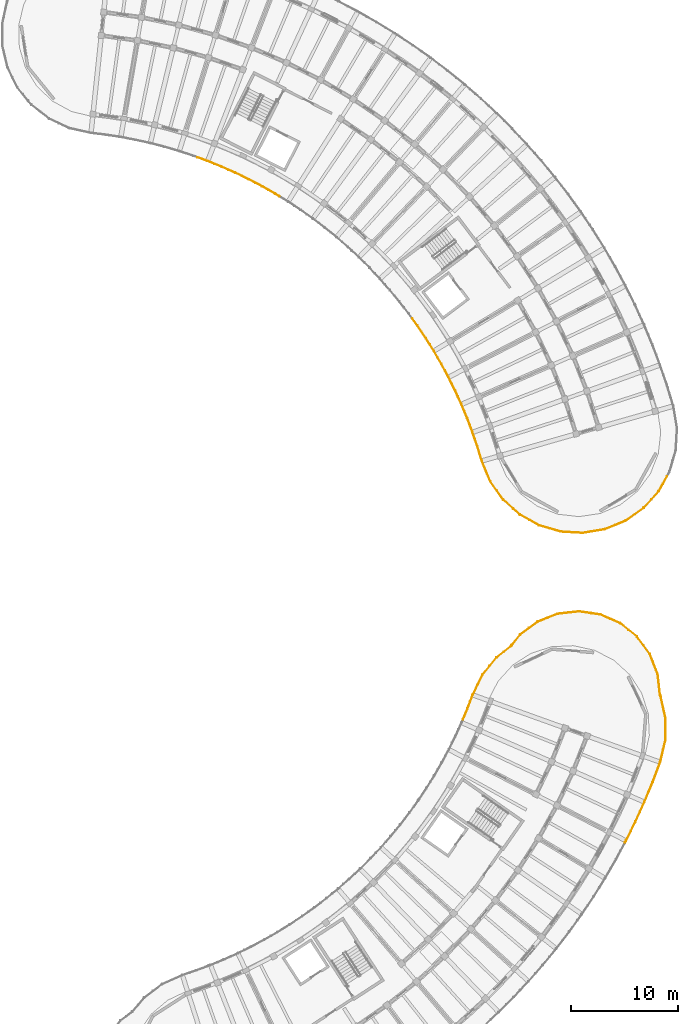
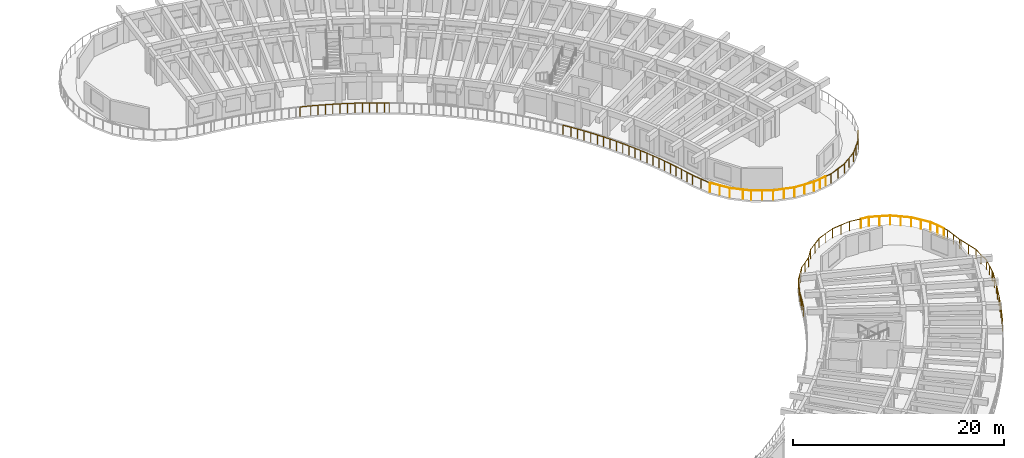
# One storey, part 77 of 81: 11 railings.
"""IFC4 building model written with IfcOpenShell, lengths in metres."""

from ifc_helpers import new_model, si_unit, direction, frame, origin, origin_2d, place, context, subcontext, project, spatial, circle, extrude, material, type_object, element, save


model = new_model("IFC4")

# Units and contexts
model_context = context("Model", 3, precision=1e-05, world=origin(), true_north=direction((0.0, 1.0)))
body_context = subcontext(model_context, "Body", "Model", "MODEL_VIEW")
ifc_project = project(units=[si_unit("LENGTHUNIT", "METRE"), si_unit("AREAUNIT", "SQUARE_METRE"), si_unit("VOLUMEUNIT", "CUBIC_METRE"), si_unit("PLANEANGLEUNIT", "RADIAN"), si_unit("MASSUNIT", "GRAM", prefix="KILO")], contexts=[model_context])

# Site, building, storey
site_placement = place(None, origin())
site = spatial("IfcSite", under=ifc_project, at=site_placement, CompositionType="ELEMENT")
building_placement = place(site_placement, origin())
building = spatial("IfcBuilding", under=site, at=building_placement, Name="Tanwirah Colonnade Gardens", CompositionType="ELEMENT")
storey_placement = place(building_placement, frame((0.0, 0.0, 18.919921875)))
storey = spatial("IfcBuildingStorey", under=building, at=storey_placement, Name="L05", CompositionType="ELEMENT", Elevation=18.919921875)

# Railings
ifc_material = material(Name="Precast concrete C40/50", Category="concrete")
railing_type_1 = type_object("IfcRailingType", Name="BAL-EXT110", PredefinedType="BALUSTRADE", material=ifc_material)
railing_1_placement = place(storey_placement, frame((160.255615234375, 47.759521484375, 0.0)))
element("IfcRailing", 1, at=railing_1_placement, inside=storey, type_object=railing_type_1, Name="Block D L05 Balcony Ribbon Balustrade 6", PredefinedType="BALUSTRADE", context=body_context, shape_type="SweptSolid", body=[
    extrude(circle(Radius=0.02392578125, at=origin_2d()), frame((0.011962890625, 0.02880859375, 1.076171875), z_axis=(0.38374390813, 0.923439555668, 0.0), x_axis=(-0.923439555668, 0.38374390813, 0.0)), (0.0, 0.0, 1.0), 1.03173828125),
    extrude(circle(Radius=0.02392578125, at=origin_2d()), frame((0.431884765625, 1.042236328125, 1.076171875), z_axis=(0.353181976467, 0.93555464378, 0.0), x_axis=(-0.93555464378, 0.353181976467, 0.0)), (0.0, 0.0, 1.0), 1.32763671875),
    extrude(circle(Radius=0.02392578125, at=origin_2d()), frame((0.925537109375, 2.341552734375, 1.076171875), z_axis=(0.441228765944, 0.897394660171, 0.0), x_axis=(-0.897394660171, 0.441228765944, 0.0)), (0.0, 0.0, 1.0), 2.029541015625),
    extrude(circle(Radius=0.02392578125, at=origin_2d()), frame((1.854736328125, 4.215087890625, 1.076171875), z_axis=(0.629803866287, 0.776754201798, 0.0), x_axis=(-0.776754201798, 0.629803866287, 0.0)), (0.0, 0.0, 1.0), 2.024169921875),
    extrude(circle(Radius=0.02392578125, at=origin_2d()), frame((3.173828125, 5.8310546875, 1.076171875), z_axis=(0.786881919945, 0.617103592652, 0.0), x_axis=(-0.617103592652, 0.786881919945, 0.0)), (0.0, 0.0, 1.0), 1.650146484375),
    extrude(circle(Radius=0.02392578125, at=origin_2d()), frame((4.529541015625, 6.90625, 1.076171875), z_axis=(0.621796525931, 0.783178830371, 0.0), x_axis=(-0.783178830371, 0.621796525931, 0.0)), (0.0, 0.0, 1.0), 0.040283203125),
    extrude(circle(Radius=0.02099609375, at=origin_2d()), origin(), (0.0, 0.0, 1.0), 1.049072265625),
    extrude(circle(Radius=0.02099609375, at=origin_2d()), frame((0.419921875, 1.010498046875, 0.0)), (0.0, 0.0, 1.0), 1.049072265625),
    extrude(circle(Radius=0.02099609375, at=origin_2d()), frame((0.66650390625, 1.6630859375, 0.0)), (0.0, 0.0, 1.0), 1.049072265625),
    extrude(circle(Radius=0.02099609375, at=origin_2d()), frame((0.911865234375, 2.3134765625, 0.0)), (0.0, 0.0, 1.0), 1.049072265625),
    extrude(circle(Radius=0.02099609375, at=origin_2d()), frame((1.37353515625, 3.252197265625, 0.0)), (0.0, 0.0, 1.0), 1.049072265625),
    extrude(circle(Radius=0.02099609375, at=origin_2d()), frame((1.8349609375, 4.19091796875, 0.0)), (0.0, 0.0, 1.0), 1.049072265625),
    extrude(circle(Radius=0.02099609375, at=origin_2d()), frame((2.4921875, 5.00146484375, 0.0)), (0.0, 0.0, 1.0), 1.049072265625),
    extrude(circle(Radius=0.02099609375, at=origin_2d()), frame((3.149169921875, 5.811767578125, 0.0)), (0.0, 0.0, 1.0), 1.049072265625),
    extrude(circle(Radius=0.02099609375, at=origin_2d()), frame((3.822998046875, 6.34033203125, 0.0)), (0.0, 0.0, 1.0), 1.049072265625),
    extrude(circle(Radius=0.02099609375, at=origin_2d()), frame((4.496826171875, 6.86865234375, 0.0)), (0.0, 0.0, 1.0), 1.049072265625),
    extrude(circle(Radius=0.02099609375, at=origin_2d()), frame((4.573974609375, 6.96240234375, 0.0)), (0.0, 0.0, 1.0), 1.049072265625),
])
railing_2_placement = place(storey_placement, frame((164.82958984375, 54.721923828125, 0.0)))
element("IfcRailing", 2, at=railing_2_placement, inside=storey, type_object=railing_type_1, Name="Block D L05 Balcony Ribbon Balustrade 7", PredefinedType="BALUSTRADE", context=body_context, shape_type="SweptSolid", body=[
    extrude(circle(Radius=0.02392578125, at=origin_2d()), frame((0.01953125, 0.0244140625, 1.076171875), z_axis=(0.622520900401, 0.782603174389, 0.0), x_axis=(-0.782603174389, 0.622520900401, 0.0)), (0.0, 0.0, 1.0), 1.21240234375),
    extrude(circle(Radius=0.02392578125, at=origin_2d()), frame((0.81884765625, 1.016357421875, 1.076171875), z_axis=(0.803894036399, 0.594772543283, 0.0), x_axis=(-0.594772543283, 0.803894036399, 0.0)), (0.0, 0.0, 1.0), 1.952392578125),
    extrude(circle(Radius=0.02392578125, at=origin_2d()), frame((2.442626953125, 2.207763671875, 1.076171875), z_axis=(0.930385857121, 0.366581719225, 0.0), x_axis=(-0.366581719225, 0.930385857121, 0.0)), (0.0, 0.0, 1.0), 1.952880859375),
    extrude(circle(Radius=0.02392578125, at=origin_2d()), frame((4.319580078125, 2.9384765625, 1.076171875), z_axis=(0.993577113496, 0.113157056945, 0.0), x_axis=(-0.113157056945, 0.993577113496, 0.0)), (0.0, 0.0, 1.0), 1.95263671875),
    extrude(circle(Radius=0.02392578125, at=origin_2d()), frame((6.32177734375, 3.158447265625, 1.076171875), z_axis=(0.989018189734, -0.147793844175, 0.0), x_axis=(0.147793844175, 0.989018189734, 0.0)), (0.0, 0.0, 1.0), 1.116943359375),
    extrude(circle(Radius=0.02099609375, at=origin_2d()), origin(), (0.0, 0.0, 1.0), 1.049072265625),
    extrude(circle(Radius=0.02099609375, at=origin_2d()), frame((0.793701171875, 0.997802734375, 0.0)), (0.0, 0.0, 1.0), 1.049072265625),
    extrude(circle(Radius=0.02099609375, at=origin_2d()), frame((1.603515625, 1.59716796875, 0.0)), (0.0, 0.0, 1.0), 1.049072265625),
    extrude(circle(Radius=0.02099609375, at=origin_2d()), frame((2.41357421875, 2.1962890625, 0.0)), (0.0, 0.0, 1.0), 1.049072265625),
    extrude(circle(Radius=0.02099609375, at=origin_2d()), frame((3.35107421875, 2.565673828125, 0.0)), (0.0, 0.0, 1.0), 1.049072265625),
    extrude(circle(Radius=0.02099609375, at=origin_2d()), frame((4.28857421875, 2.93505859375, 0.0)), (0.0, 0.0, 1.0), 1.049072265625),
    extrude(circle(Radius=0.02099609375, at=origin_2d()), frame((5.28955078125, 3.049072265625, 0.0)), (0.0, 0.0, 1.0), 1.049072265625),
    extrude(circle(Radius=0.02099609375, at=origin_2d()), frame((6.290771484375, 3.1630859375, 0.0)), (0.0, 0.0, 1.0), 1.049072265625),
    extrude(circle(Radius=0.02099609375, at=origin_2d()), frame((7.457275390625, 2.98876953125, 0.0)), (0.0, 0.0, 1.0), 1.049072265625),
])
railing_3_placement = place(storey_placement, frame((172.286865234375, 57.710693359375, 0.0)))
element("IfcRailing", 3, at=railing_3_placement, inside=storey, type_object=railing_type_1, Name="Block D L05 Balcony Ribbon Balustrade 8", PredefinedType="BALUSTRADE", context=body_context, shape_type="SweptSolid", body=[
    extrude(circle(Radius=0.02392578125, at=origin_2d()), frame((0.031005859375, -0.004638671875, 1.076171875), z_axis=(0.989011234608, -0.147840379531, 0.0), x_axis=(0.147840379531, 0.989011234608, 0.0)), (0.0, 0.0, 1.0), 0.773193359375),
    extrude(circle(Radius=0.02392578125, at=origin_2d()), frame((0.85498046875, -0.135986328125, 1.076171875), z_axis=(0.917083537918, -0.398695102152, 0.0), x_axis=(0.398695102152, 0.917083537918, 0.0)), (0.0, 0.0, 1.0), 1.95263671875),
    extrude(circle(Radius=0.02392578125, at=origin_2d()), frame((2.698974609375, -0.946533203125, 1.076171875), z_axis=(0.782532634518, -0.622609569405, 0.0), x_axis=(0.622609569405, 0.782532634518, 0.0)), (0.0, 0.0, 1.0), 1.95263671875),
    extrude(circle(Radius=0.02392578125, at=origin_2d()), frame((4.27001953125, -2.206787109375, 1.076171875), z_axis=(0.594850833689, -0.803836106218, 0.0), x_axis=(0.803836106218, 0.594850833689, 0.0)), (0.0, 0.0, 1.0), 1.95263671875),
    extrude(circle(Radius=0.02392578125, at=origin_2d()), frame((5.461669921875, -3.83056640625, 1.076171875), z_axis=(0.366445400698, -0.930439556504, 0.0), x_axis=(0.930439556504, 0.366445400698, 0.0)), (0.0, 0.0, 1.0), 1.556396484375),
    extrude(circle(Radius=0.02099609375, at=origin_2d()), origin(), (0.0, 0.0, 1.0), 1.049072265625),
    extrude(circle(Radius=0.02099609375, at=origin_2d()), frame((0.826416015625, -0.12353515625, 0.0)), (0.0, 0.0, 1.0), 1.049072265625),
    extrude(circle(Radius=0.02099609375, at=origin_2d()), frame((1.75048828125, -0.525390625, 0.0)), (0.0, 0.0, 1.0), 1.049072265625),
    extrude(circle(Radius=0.02099609375, at=origin_2d()), frame((2.674560546875, -0.927001953125, 0.0)), (0.0, 0.0, 1.0), 1.049072265625),
    extrude(circle(Radius=0.02099609375, at=origin_2d()), frame((3.462890625, -1.55419921875, 0.0)), (0.0, 0.0, 1.0), 1.049072265625),
    extrude(circle(Radius=0.02099609375, at=origin_2d()), frame((4.25146484375, -2.181640625, 0.0)), (0.0, 0.0, 1.0), 1.049072265625),
    extrude(circle(Radius=0.02099609375, at=origin_2d()), frame((4.850830078125, -2.99169921875, 0.0)), (0.0, 0.0, 1.0), 1.049072265625),
    extrude(circle(Radius=0.02099609375, at=origin_2d()), frame((5.4501953125, -3.801513671875, 0.0)), (0.0, 0.0, 1.0), 1.049072265625),
    extrude(circle(Radius=0.02099609375, at=origin_2d()), frame((5.746826171875, -4.5546875, 0.0)), (0.0, 0.0, 1.0), 1.049072265625),
    extrude(circle(Radius=0.02099609375, at=origin_2d()), frame((6.04345703125, -5.307861328125, 0.0)), (0.0, 0.0, 1.0), 1.049072265625),
])
railing_4_placement = place(storey_placement, frame((178.330322265625, 52.40283203125, 0.0)))
element("IfcRailing", 4, at=railing_4_placement, inside=storey, type_object=railing_type_1, Name="Block D L05 Balcony Ribbon Balustrade 9", PredefinedType="BALUSTRADE", context=body_context, shape_type="SweptSolid", body=[
    extrude(circle(Radius=0.02392578125, at=origin_2d()), frame((0.011474609375, -0.029052734375, 1.076171875), z_axis=(0.366815596707, -0.930293672994, 0.0), x_axis=(0.930293672994, 0.366815596707, 0.0)), (0.0, 0.0, 1.0), 0.33349609375),
    extrude(circle(Radius=0.02392578125, at=origin_2d()), frame((0.14892578125, -0.3994140625, 1.076171875), z_axis=(0.113238424528, -0.993567843285, 0.0), x_axis=(0.993567843285, 0.113238424528, 0.0)), (0.0, 0.0, 1.0), 1.90380859375),
    extrude(circle(Radius=0.02392578125, at=origin_2d()), frame((0.388427734375, -2.375244140625, 1.076171875), z_axis=(0.425885060261, -0.904777273945, 0.0), x_axis=(0.904777273945, 0.425885060261, 0.0)), (0.0, 0.0, 1.0), 0.071044921875),
    extrude(circle(Radius=0.02392578125, at=origin_2d()), frame((0.4384765625, -2.498291015625, 1.076171875), z_axis=(0.214663162135, -0.976688142051, 0.0), x_axis=(0.976688142051, 0.214663162135, 0.0)), (0.0, 0.0, 1.0), 2.0244140625),
    extrude(circle(Radius=0.02392578125, at=origin_2d()), frame((0.879638671875, -4.537353515625, 1.076171875), z_axis=(-0.008071800673, -0.999967422486, 0.0), x_axis=(0.999967422486, -0.008071800673, 0.0)), (0.0, 0.0, 1.0), 2.0244140625),
    extrude(circle(Radius=0.02392578125, at=origin_2d()), frame((0.855712890625, -6.62353515625, 1.076171875), z_axis=(-0.230449524336, -0.973084280386, 0.0), x_axis=(0.973084280386, -0.230449524336, 0.0)), (0.0, 0.0, 1.0), 1.74169921875),
    extrude(circle(Radius=0.02099609375, at=origin_2d()), origin(), (0.0, 0.0, 1.0), 1.049072265625),
    extrude(circle(Radius=0.02099609375, at=origin_2d()), frame((0.145263671875, -0.368408203125, 0.0)), (0.0, 0.0, 1.0), 1.049072265625),
    extrude(circle(Radius=0.02099609375, at=origin_2d()), frame((0.256591796875, -1.34521484375, 0.0)), (0.0, 0.0, 1.0), 1.049072265625),
    extrude(circle(Radius=0.02099609375, at=origin_2d()), frame((0.367919921875, -2.322021484375, 0.0)), (0.0, 0.0, 1.0), 1.049072265625),
    extrude(circle(Radius=0.02099609375, at=origin_2d()), frame((0.431884765625, -2.4677734375, 0.0)), (0.0, 0.0, 1.0), 1.049072265625),
    extrude(circle(Radius=0.02099609375, at=origin_2d()), frame((0.65576171875, -3.48681640625, 0.0)), (0.0, 0.0, 1.0), 1.049072265625),
    extrude(circle(Radius=0.02099609375, at=origin_2d()), frame((0.8798828125, -4.506103515625, 0.0)), (0.0, 0.0, 1.0), 1.049072265625),
    extrude(circle(Radius=0.02099609375, at=origin_2d()), frame((0.87158203125, -5.549560546875, 0.0)), (0.0, 0.0, 1.0), 1.049072265625),
    extrude(circle(Radius=0.02099609375, at=origin_2d()), frame((0.863037109375, -6.593017578125, 0.0)), (0.0, 0.0, 1.0), 1.049072265625),
    extrude(circle(Radius=0.02099609375, at=origin_2d()), frame((0.6552734375, -7.470703125, 0.0)), (0.0, 0.0, 1.0), 1.049072265625),
    extrude(circle(Radius=0.02099609375, at=origin_2d()), frame((0.447265625, -8.3486328125, 0.0)), (0.0, 0.0, 1.0), 1.049072265625),
])
railing_5_placement = place(storey_placement, frame((178.777587890625, 44.05419921875, 0.0)))
element("IfcRailing", 5, at=railing_5_placement, inside=storey, type_object=railing_type_1, Name="Block D L05 Balcony Ribbon Balustrade 10", PredefinedType="BALUSTRADE", context=body_context, shape_type="SweptSolid", body=[
    extrude(circle(Radius=0.02392578125, at=origin_2d()), frame((-0.007080078125, -0.030517578125, 1.076171875), z_axis=(-0.230084149808, -0.973170737336, 0.0), x_axis=(0.973170737336, -0.230084149808, 0.0)), (0.0, 0.0, 1.0), 0.223876953125),
    extrude(circle(Radius=0.02392578125, at=origin_2d()), frame((-0.076904296875, -0.30810546875, 1.076171875), z_axis=(-0.353246485445, -0.935530288404, 0.0), x_axis=(0.935530288404, -0.353246485445, 0.0)), (0.0, 0.0, 1.0), 1.9404296875),
    extrude(circle(Radius=0.02392578125, at=origin_2d()), frame((-0.785400390625, -2.181396484375, 1.076171875), z_axis=(-0.383777149523, -0.923425741196, 0.0), x_axis=(0.923425741196, -0.383777149523, 0.0)), (0.0, 0.0, 1.0), 1.94384765625),
    extrude(circle(Radius=0.02392578125, at=origin_2d()), frame((-1.556396484375, -4.033935546875, 1.076171875), z_axis=(-0.413665439989, -0.910428966893, 0.0), x_axis=(0.910428966893, -0.413665439989, 0.0)), (0.0, 0.0, 1.0), 1.944091796875),
    extrude(circle(Radius=0.02392578125, at=origin_2d()), frame((-2.387451171875, -5.8603515625, 1.076171875), z_axis=(-0.443316350815, -0.896365223054, 0.0), x_axis=(0.896365223054, -0.443316350815, 0.0)), (0.0, 0.0, 1.0), 1.9443359375),
    extrude(circle(Radius=0.02392578125, at=origin_2d()), frame((-3.27783203125, -7.65869140625, 1.076171875), z_axis=(-0.472114894391, -0.881537025028, 0.0), x_axis=(0.881537025028, -0.472114894391, 0.0)), (0.0, 0.0, 1.0), 0.128173828125),
    extrude(circle(Radius=0.02099609375, at=origin_2d()), origin(), (0.0, 0.0, 1.0), 1.049072265625),
    extrude(circle(Radius=0.02099609375, at=origin_2d()), frame((-0.06591796875, -0.27880859375, 0.0)), (0.0, 0.0, 1.0), 1.049072265625),
    extrude(circle(Radius=0.02099609375, at=origin_2d()), frame((-0.419677734375, -1.2158203125, 0.0)), (0.0, 0.0, 1.0), 1.049072265625),
    extrude(circle(Radius=0.02099609375, at=origin_2d()), frame((-0.7734375, -2.152587890625, 0.0)), (0.0, 0.0, 1.0), 1.049072265625),
    extrude(circle(Radius=0.02099609375, at=origin_2d()), frame((-1.158447265625, -3.0791015625, 0.0)), (0.0, 0.0, 1.0), 1.049072265625),
    extrude(circle(Radius=0.02099609375, at=origin_2d()), frame((-1.54345703125, -4.00537109375, 0.0)), (0.0, 0.0, 1.0), 1.049072265625),
    extrude(circle(Radius=0.02099609375, at=origin_2d()), frame((-1.95849609375, -4.9189453125, 0.0)), (0.0, 0.0, 1.0), 1.049072265625),
    extrude(circle(Radius=0.02099609375, at=origin_2d()), frame((-2.37353515625, -5.832275390625, 0.0)), (0.0, 0.0, 1.0), 1.049072265625),
    extrude(circle(Radius=0.02099609375, at=origin_2d()), frame((-2.818359375, -6.731689453125, 0.0)), (0.0, 0.0, 1.0), 1.049072265625),
    extrude(circle(Radius=0.02099609375, at=origin_2d()), frame((-3.26318359375, -7.631103515625, 0.0)), (0.0, 0.0, 1.0), 1.049072265625),
    extrude(circle(Radius=0.02099609375, at=origin_2d()), frame((-3.353271484375, -7.79931640625, 0.0)), (0.0, 0.0, 1.0), 1.049072265625),
])
railing_type_2 = type_object("IfcRailingType", Name="BAL-EXT112", PredefinedType="BALUSTRADE", material=ifc_material)
railing_6_placement = place(storey_placement, frame((162.8232421875, 70.035400390625, 0.0)))
element("IfcRailing", 6, at=railing_6_placement, inside=storey, type_object=railing_type_2, Name="Block B L05 Balcony Ribbon Balustrade 1", PredefinedType="BALUSTRADE", context=body_context, shape_type="SweptSolid", body=[
    extrude(circle(Radius=0.02392578125, at=origin_2d()), frame((-0.011962890625, 0.02880859375, 1.09619140625), z_axis=(-0.381489237895, 0.92437328032, 0.0), x_axis=(-0.92437328032, -0.381489237895, 0.0)), (0.0, 0.0, 1.0), 2.029541015625),
    extrude(circle(Radius=0.02392578125, at=origin_2d()), frame((-0.80712890625, 1.963623046875, 1.09619140625), z_axis=(-0.29148764702, 0.956574592823, 0.0), x_axis=(-0.956574592823, -0.29148764702, 0.0)), (0.0, 0.0, 1.0), 1.337890625),
    extrude(circle(Radius=0.02392578125, at=origin_2d()), frame((-1.217041015625, 3.305419921875, 1.09619140625), z_axis=(-0.322790719453, 0.946470364795, 0.0), x_axis=(-0.946470364795, -0.322790719453, 0.0)), (0.0, 0.0, 1.0), 1.342041015625),
    extrude(circle(Radius=0.02392578125, at=origin_2d()), frame((-1.67236328125, 4.636962890625, 1.09619140625), z_axis=(-0.353789339155, 0.935325132508, 0.0), x_axis=(-0.935325132508, -0.353789339155, 0.0)), (0.0, 0.0, 1.0), 1.341796875),
    extrude(circle(Radius=0.02392578125, at=origin_2d()), frame((-2.171142578125, 5.952392578125, 1.09619140625), z_axis=(-0.384541319971, 0.923107779858, 0.0), x_axis=(-0.923107779858, -0.384541319971, 0.0)), (0.0, 0.0, 1.0), 1.341796875),
    extrude(circle(Radius=0.02392578125, at=origin_2d()), frame((-2.713134765625, 7.2509765625, 1.09619140625), z_axis=(-0.414647740507, 0.909982006027, 0.0), x_axis=(-0.909982006027, -0.414647740507, 0.0)), (0.0, 0.0, 1.0), 0.72119140625),
    extrude(circle(Radius=0.02099609375, at=origin_2d()), origin(), (0.0, 0.0, 1.0), 1.069091796875),
    extrude(circle(Radius=0.02099609375, at=origin_2d()), frame((-0.39892578125, 0.966796875, 0.0)), (0.0, 0.0, 1.0), 1.069091796875),
    extrude(circle(Radius=0.02099609375, at=origin_2d()), frame((-0.798095703125, 1.933837890625, 0.0)), (0.0, 0.0, 1.0), 1.069091796875),
    extrude(circle(Radius=0.02099609375, at=origin_2d()), frame((-1.002197265625, 2.603515625, 0.0)), (0.0, 0.0, 1.0), 1.069091796875),
    extrude(circle(Radius=0.02099609375, at=origin_2d()), frame((-1.206298828125, 3.2734375, 0.0)), (0.0, 0.0, 1.0), 1.069091796875),
    extrude(circle(Radius=0.02099609375, at=origin_2d()), frame((-1.43359375, 3.9404296875, 0.0)), (0.0, 0.0, 1.0), 1.069091796875),
    extrude(circle(Radius=0.02099609375, at=origin_2d()), frame((-1.660400390625, 4.605224609375, 0.0)), (0.0, 0.0, 1.0), 1.069091796875),
    extrude(circle(Radius=0.02099609375, at=origin_2d()), frame((-1.90966796875, 5.264404296875, 0.0)), (0.0, 0.0, 1.0), 1.069091796875),
    extrude(circle(Radius=0.02099609375, at=origin_2d()), frame((-2.158203125, 5.921142578125, 0.0)), (0.0, 0.0, 1.0), 1.069091796875),
    extrude(circle(Radius=0.02099609375, at=origin_2d()), frame((-2.42919921875, 6.57177734375, 0.0)), (0.0, 0.0, 1.0), 1.069091796875),
    extrude(circle(Radius=0.02099609375, at=origin_2d()), frame((-2.69921875, 7.219970703125, 0.0)), (0.0, 0.0, 1.0), 1.069091796875),
    extrude(circle(Radius=0.02099609375, at=origin_2d()), frame((-3.025146484375, 7.935546875, 0.0)), (0.0, 0.0, 1.0), 1.069091796875),
])
railing_7_placement = place(storey_placement, frame((159.798095703125, 77.970947265625, 0.0)))
element("IfcRailing", 7, at=railing_7_placement, inside=storey, type_object=railing_type_2, Name="Block B L05 Balcony Ribbon Balustrade 2", PredefinedType="BALUSTRADE", context=body_context, shape_type="SweptSolid", body=[
    extrude(circle(Radius=0.02392578125, at=origin_2d()), frame((-0.012939453125, 0.028564453125, 1.09619140625), z_axis=(-0.414662350761, 0.909975348491, 0.0), x_axis=(-0.909975348491, -0.414662350761, 0.0)), (0.0, 0.0, 1.0), 0.55810546875),
    extrude(circle(Radius=0.02392578125, at=origin_2d()), frame((-0.2724609375, 0.59521484375, 1.09619140625), z_axis=(-0.444499692011, 0.895779003885, 0.0), x_axis=(-0.895779003885, -0.444499692011, 0.0)), (0.0, 0.0, 1.0), 1.341796875),
    extrude(circle(Radius=0.02392578125, at=origin_2d()), frame((-0.89892578125, 1.85498046875, 1.09619140625), z_axis=(-0.473716211853, 0.880677552018, 0.0), x_axis=(-0.880677552018, -0.473716211853, 0.0)), (0.0, 0.0, 1.0), 1.341796875),
    extrude(circle(Radius=0.02392578125, at=origin_2d()), frame((-1.566162109375, 3.093505859375, 1.09619140625), z_axis=(-0.502378729104, 0.864647681165, 0.0), x_axis=(-0.864647681165, -0.502378729104, 0.0)), (0.0, 0.0, 1.0), 1.342041015625),
    extrude(circle(Radius=0.02392578125, at=origin_2d()), frame((-2.274169921875, 4.3095703125, 1.09619140625), z_axis=(-0.530764445851, 0.847519382091, 0.0), x_axis=(-0.847519382091, -0.530764445851, 0.0)), (0.0, 0.0, 1.0), 1.341796875),
    extrude(circle(Radius=0.02392578125, at=origin_2d()), frame((-3.02197265625, 5.501220703125, 1.09619140625), z_axis=(-0.558385571779, 0.829581553091, 0.0), x_axis=(-0.829581553091, -0.558385571779, 0.0)), (0.0, 0.0, 1.0), 1.341796875),
    extrude(circle(Radius=0.02392578125, at=origin_2d()), frame((-3.808349609375, 6.66796875, 1.09619140625), z_axis=(-0.585427031638, 0.810725101763, 0.0), x_axis=(-0.810725101763, -0.585427031638, 0.0)), (0.0, 0.0, 1.0), 0.779541015625),
    extrude(circle(Radius=0.02099609375, at=origin_2d()), origin(), (0.0, 0.0, 1.0), 1.069091796875),
    extrude(circle(Radius=0.02099609375, at=origin_2d()), frame((-0.25732421875, 0.564697265625, 0.0)), (0.0, 0.0, 1.0), 1.069091796875),
    extrude(circle(Radius=0.02099609375, at=origin_2d()), frame((-0.57080078125, 1.1962890625, 0.0)), (0.0, 0.0, 1.0), 1.069091796875),
    extrude(circle(Radius=0.02099609375, at=origin_2d()), frame((-0.8828125, 1.8251953125, 0.0)), (0.0, 0.0, 1.0), 1.069091796875),
    extrude(circle(Radius=0.02099609375, at=origin_2d()), frame((-1.216796875, 2.44580078125, 0.0)), (0.0, 0.0, 1.0), 1.069091796875),
    extrude(circle(Radius=0.02099609375, at=origin_2d()), frame((-1.54931640625, 3.064208984375, 0.0)), (0.0, 0.0, 1.0), 1.069091796875),
    extrude(circle(Radius=0.02099609375, at=origin_2d()), frame((-1.9033203125, 3.673583984375, 0.0)), (0.0, 0.0, 1.0), 1.069091796875),
    extrude(circle(Radius=0.02099609375, at=origin_2d()), frame((-2.256103515625, 4.28076171875, 0.0)), (0.0, 0.0, 1.0), 1.069091796875),
    extrude(circle(Radius=0.02099609375, at=origin_2d()), frame((-2.63037109375, 4.8779296875, 0.0)), (0.0, 0.0, 1.0), 1.069091796875),
    extrude(circle(Radius=0.02099609375, at=origin_2d()), frame((-3.0029296875, 5.47314453125, 0.0)), (0.0, 0.0, 1.0), 1.069091796875),
    extrude(circle(Radius=0.02099609375, at=origin_2d()), frame((-3.396484375, 6.057861328125, 0.0)), (0.0, 0.0, 1.0), 1.069091796875),
    extrude(circle(Radius=0.02099609375, at=origin_2d()), frame((-3.78857421875, 6.640380859375, 0.0)), (0.0, 0.0, 1.0), 1.069091796875),
    extrude(circle(Radius=0.02099609375, at=origin_2d()), frame((-4.282958984375, 7.3251953125, 0.0)), (0.0, 0.0, 1.0), 1.069091796875),
])
railing_8_placement = place(storey_placement, frame((143.078857421875, 96.719482421875, 0.0)))
element("IfcRailing", 8, at=railing_8_placement, inside=storey, type_object=railing_type_2, Name="Block B L05 Balcony Ribbon Balustrade 5", PredefinedType="BALUSTRADE", context=body_context, shape_type="SweptSolid", body=[
    extrude(circle(Radius=0.02392578125, at=origin_2d()), frame((-0.026611328125, 0.016357421875, 1.09619140625), z_axis=(-0.85257765709, 0.522600553608, 0.0), x_axis=(-0.522600553608, -0.85257765709, 0.0)), (0.0, 0.0, 1.0), 0.383544921875),
    extrude(circle(Radius=0.02392578125, at=origin_2d()), frame((-0.40966796875, 0.249755859375, 1.09619140625), z_axis=(-0.869342839865, 0.494209496848, 0.0), x_axis=(-0.494209496848, -0.869342839865, 0.0)), (0.0, 0.0, 1.0), 1.342041015625),
    extrude(circle(Radius=0.02392578125, at=origin_2d()), frame((-1.633544921875, 0.9443359375, 1.09619140625), z_axis=(-0.885204649416, 0.465201814972, 0.0), x_axis=(-0.465201814972, -0.885204649416, 0.0)), (0.0, 0.0, 1.0), 1.341796875),
    extrude(circle(Radius=0.02392578125, at=origin_2d()), frame((-2.87939453125, 1.597900390625, 1.09619140625), z_axis=(-0.900124070825, 0.43563362717, 0.0), x_axis=(-0.43563362717, -0.900124070825, 0.0)), (0.0, 0.0, 1.0), 1.341796875),
    extrude(circle(Radius=0.02392578125, at=origin_2d()), frame((-4.146240234375, 2.2099609375, 1.09619140625), z_axis=(-0.913997826773, 0.40571908096, 0.0), x_axis=(-0.40571908096, -0.913997826773, 0.0)), (0.0, 0.0, 1.0), 1.342041015625),
    extrude(circle(Radius=0.02392578125, at=origin_2d()), frame((-5.4326171875, 2.77978515625, 1.09619140625), z_axis=(-0.92683738147, 0.375463005247, 0.0), x_axis=(-0.375463005247, -0.92683738147, 0.0)), (0.0, 0.0, 1.0), 1.342041015625),
    extrude(circle(Radius=0.02392578125, at=origin_2d()), frame((-6.737060546875, 3.30712890625, 1.09619140625), z_axis=(-0.938687215578, 0.344769939686, 0.0), x_axis=(-0.344769939686, -0.938687215578, 0.0)), (0.0, 0.0, 1.0), 0.95361328125),
    extrude(circle(Radius=0.02099609375, at=origin_2d()), origin(), (0.0, 0.0, 1.0), 1.069091796875),
    extrude(circle(Radius=0.02099609375, at=origin_2d()), frame((-0.38037109375, 0.233154296875, 0.0)), (0.0, 0.0, 1.0), 1.069091796875),
    extrude(circle(Radius=0.02099609375, at=origin_2d()), frame((-0.9931640625, 0.58154296875, 0.0)), (0.0, 0.0, 1.0), 1.069091796875),
    extrude(circle(Radius=0.02099609375, at=origin_2d()), frame((-1.603515625, 0.928466796875, 0.0)), (0.0, 0.0, 1.0), 1.069091796875),
    extrude(circle(Radius=0.02099609375, at=origin_2d()), frame((-2.2275390625, 1.25634765625, 0.0)), (0.0, 0.0, 1.0), 1.069091796875),
    extrude(circle(Radius=0.02099609375, at=origin_2d()), frame((-2.84912109375, 1.5830078125, 0.0)), (0.0, 0.0, 1.0), 1.069091796875),
    extrude(circle(Radius=0.02099609375, at=origin_2d()), frame((-3.4833984375, 1.89013671875, 0.0)), (0.0, 0.0, 1.0), 1.069091796875),
    extrude(circle(Radius=0.02099609375, at=origin_2d()), frame((-4.115478515625, 2.196044921875, 0.0)), (0.0, 0.0, 1.0), 1.069091796875),
    extrude(circle(Radius=0.02099609375, at=origin_2d()), frame((-4.759521484375, 2.482177734375, 0.0)), (0.0, 0.0, 1.0), 1.069091796875),
    extrude(circle(Radius=0.02099609375, at=origin_2d()), frame((-5.4013671875, 2.76708984375, 0.0)), (0.0, 0.0, 1.0), 1.069091796875),
    extrude(circle(Radius=0.02099609375, at=origin_2d()), frame((-6.054443359375, 3.03173828125, 0.0)), (0.0, 0.0, 1.0), 1.069091796875),
    extrude(circle(Radius=0.02099609375, at=origin_2d()), frame((-6.705322265625, 3.29541015625, 0.0)), (0.0, 0.0, 1.0), 1.069091796875),
    extrude(circle(Radius=0.02099609375, at=origin_2d()), frame((-7.66162109375, 3.646728515625, 0.0)), (0.0, 0.0, 1.0), 1.069091796875),
])
railing_9_placement = place(storey_placement, frame((179.34326171875, 70.508544921875, 0.0)))
element("IfcRailing", 9, at=railing_9_placement, inside=storey, type_object=railing_type_2, Name="Block B L05 Balcony Ribbon Balustrade 20", PredefinedType="BALUSTRADE", context=body_context, shape_type="SweptSolid", body=[
    extrude(circle(Radius=0.02392578125, at=origin_2d()), frame((-0.01513671875, -0.02734375, 1.09619140625), z_axis=(-0.484813654045, -0.874617471156, 0.0), x_axis=(0.874617471156, -0.484813654045, 0.0)), (0.0, 0.0, 1.0), 1.5126953125),
    extrude(circle(Radius=0.02392578125, at=origin_2d()), frame((-0.784423828125, -1.40087890625, 1.09619140625), z_axis=(-0.667263194146, -0.744822012119, 0.0), x_axis=(0.744822012119, -0.667263194146, 0.0)), (0.0, 0.0, 1.0), 2.0244140625),
    extrude(circle(Radius=0.02392578125, at=origin_2d()), frame((-2.181884765625, -2.9501953125, 1.09619140625), z_axis=(-0.816286486525, -0.577647272924, 0.0), x_axis=(0.577647272924, -0.816286486525, 0.0)), (0.0, 0.0, 1.0), 2.0244140625),
    extrude(circle(Radius=0.02392578125, at=origin_2d()), frame((-3.888671875, -4.149658203125, 1.09619140625), z_axis=(-0.924362800533, -0.381514630115, 0.0), x_axis=(0.381514630115, -0.924362800533, 0.0)), (0.0, 0.0, 1.0), 2.024169921875),
    extrude(circle(Radius=0.02392578125, at=origin_2d()), frame((-5.819580078125, -4.93896484375, 1.09619140625), z_axis=(-0.9860941903, -0.166187387776, 0.0), x_axis=(0.166187387776, -0.9860941903, 0.0)), (0.0, 0.0, 1.0), 0.6015625),
    extrude(circle(Radius=0.02099609375, at=origin_2d()), origin(), (0.0, 0.0, 1.0), 1.069091796875),
    extrude(circle(Radius=0.02099609375, at=origin_2d()), frame((-0.3818359375, -0.68896484375, 0.0)), (0.0, 0.0, 1.0), 1.069091796875),
    extrude(circle(Radius=0.02099609375, at=origin_2d()), frame((-0.763671875, -1.377685546875, 0.0)), (0.0, 0.0, 1.0), 1.069091796875),
    extrude(circle(Radius=0.02099609375, at=origin_2d()), frame((-1.4599609375, -2.15478515625, 0.0)), (0.0, 0.0, 1.0), 1.069091796875),
    extrude(circle(Radius=0.02099609375, at=origin_2d()), frame((-2.15625, -2.93212890625, 0.0)), (0.0, 0.0, 1.0), 1.069091796875),
    extrude(circle(Radius=0.02099609375, at=origin_2d()), frame((-3.008056640625, -3.534912109375, 0.0)), (0.0, 0.0, 1.0), 1.069091796875),
    extrude(circle(Radius=0.02099609375, at=origin_2d()), frame((-3.85986328125, -4.1376953125, 0.0)), (0.0, 0.0, 1.0), 1.069091796875),
    extrude(circle(Radius=0.02099609375, at=origin_2d()), frame((-4.82421875, -4.53564453125, 0.0)), (0.0, 0.0, 1.0), 1.069091796875),
    extrude(circle(Radius=0.02099609375, at=origin_2d()), frame((-5.788818359375, -4.933837890625, 0.0)), (0.0, 0.0, 1.0), 1.069091796875),
    extrude(circle(Radius=0.02099609375, at=origin_2d()), frame((-6.443603515625, -5.044189453125, 0.0)), (0.0, 0.0, 1.0), 1.069091796875),
])
railing_10_placement = place(storey_placement, frame((172.899658203125, 65.46435546875, 0.0)))
element("IfcRailing", 10, at=railing_10_placement, inside=storey, type_object=railing_type_2, Name="Block B L05 Balcony Ribbon Balustrade 21", PredefinedType="BALUSTRADE", context=body_context, shape_type="SweptSolid", body=[
    extrude(circle(Radius=0.02392578125, at=origin_2d()), frame((-0.03076171875, -0.005126953125, 1.09619140625), z_axis=(-0.986081459766, -0.166262908389, 0.0), x_axis=(0.166262908389, -0.986081459766, 0.0)), (0.0, 0.0, 1.0), 1.3603515625),
    extrude(circle(Radius=0.02392578125, at=origin_2d()), frame((-1.434326171875, -0.23486328125, 1.09619140625), z_axis=(-0.998362374442, 0.057206374631, 0.0), x_axis=(-0.057206374631, -0.998362374442, 0.0)), (0.0, 0.0, 1.0), 2.0244140625),
    extrude(circle(Radius=0.02392578125, at=origin_2d()), frame((-3.5166015625, -0.1083984375, 1.09619140625), z_axis=(-0.960560153031, 0.278072279108, 0.0), x_axis=(-0.278072279108, -0.960560153031, 0.0)), (0.0, 0.0, 1.0), 2.0244140625),
    extrude(circle(Radius=0.02392578125, at=origin_2d()), frame((-5.5185546875, 0.478271484375, 1.09619140625), z_axis=(-0.874620424882, 0.484808325403, 0.0), x_axis=(-0.484808325403, -0.874620424882, 0.0)), (0.0, 0.0, 1.0), 2.0244140625),
    extrude(circle(Radius=0.02392578125, at=origin_2d()), frame((-7.339599609375, 1.49560546875, 1.09619140625), z_axis=(-0.744779587928, 0.667310546452, 0.0), x_axis=(-0.667310546452, -0.744779587928, 0.0)), (0.0, 0.0, 1.0), 0.753662109375),
    extrude(circle(Radius=0.02099609375, at=origin_2d()), origin(), (0.0, 0.0, 1.0), 1.069091796875),
    extrude(circle(Radius=0.02099609375, at=origin_2d()), frame((-0.70166015625, -0.1181640625, 0.0)), (0.0, 0.0, 1.0), 1.069091796875),
    extrude(circle(Radius=0.02099609375, at=origin_2d()), frame((-1.403076171875, -0.236572265625, 0.0)), (0.0, 0.0, 1.0), 1.069091796875),
    extrude(circle(Radius=0.02099609375, at=origin_2d()), frame((-2.44482421875, -0.1767578125, 0.0)), (0.0, 0.0, 1.0), 1.069091796875),
    extrude(circle(Radius=0.02099609375, at=origin_2d()), frame((-3.486572265625, -0.1171875, 0.0)), (0.0, 0.0, 1.0), 1.069091796875),
    extrude(circle(Radius=0.02099609375, at=origin_2d()), frame((-4.48876953125, 0.1728515625, 0.0)), (0.0, 0.0, 1.0), 1.069091796875),
    extrude(circle(Radius=0.02099609375, at=origin_2d()), frame((-5.4912109375, 0.463134765625, 0.0)), (0.0, 0.0, 1.0), 1.069091796875),
    extrude(circle(Radius=0.02099609375, at=origin_2d()), frame((-6.40380859375, 0.968994140625, 0.0)), (0.0, 0.0, 1.0), 1.069091796875),
    extrude(circle(Radius=0.02099609375, at=origin_2d()), frame((-7.31640625, 1.474853515625, 0.0)), (0.0, 0.0, 1.0), 1.069091796875),
    extrude(circle(Radius=0.02099609375, at=origin_2d()), frame((-7.92431640625, 2.01953125, 0.0)), (0.0, 0.0, 1.0), 1.069091796875),
])
railing_11_placement = place(storey_placement, frame((164.975341796875, 67.48388671875, 0.0)))
element("IfcRailing", 11, at=railing_11_placement, inside=storey, type_object=railing_type_2, Name="Block B L05 Balcony Ribbon Balustrade 22", PredefinedType="BALUSTRADE", context=body_context, shape_type="SweptSolid", body=[
    extrude(circle(Radius=0.02392578125, at=origin_2d()), frame((-0.023193359375, 0.020751953125, 1.09619140625), z_axis=(-0.744849259982, 0.6672327779, 0.0), x_axis=(-0.6672327779, -0.744849259982, 0.0)), (0.0, 0.0, 1.0), 1.208251953125),
    extrude(circle(Radius=0.02392578125, at=origin_2d()), frame((-0.964599609375, 0.87353515625, 1.09619140625), z_axis=(-0.577647272924, 0.816286486525, 0.0), x_axis=(-0.816286486525, -0.577647272924, 0.0)), (0.0, 0.0, 1.0), 2.0244140625),
    extrude(circle(Radius=0.02099609375, at=origin_2d()), origin(), (0.0, 0.0, 1.0), 1.069091796875),
    extrude(circle(Radius=0.02099609375, at=origin_2d()), frame((-0.946533203125, 0.847900390625, 0.0)), (0.0, 0.0, 1.0), 1.069091796875),
    extrude(circle(Radius=0.02099609375, at=origin_2d()), frame((-1.54931640625, 1.69970703125, 0.0)), (0.0, 0.0, 1.0), 1.069091796875),
    extrude(circle(Radius=0.02099609375, at=origin_2d()), frame((-2.152099609375, 2.551513671875, 0.0)), (0.0, 0.0, 1.0), 1.069091796875),
])

save(model, "model.ifc")
